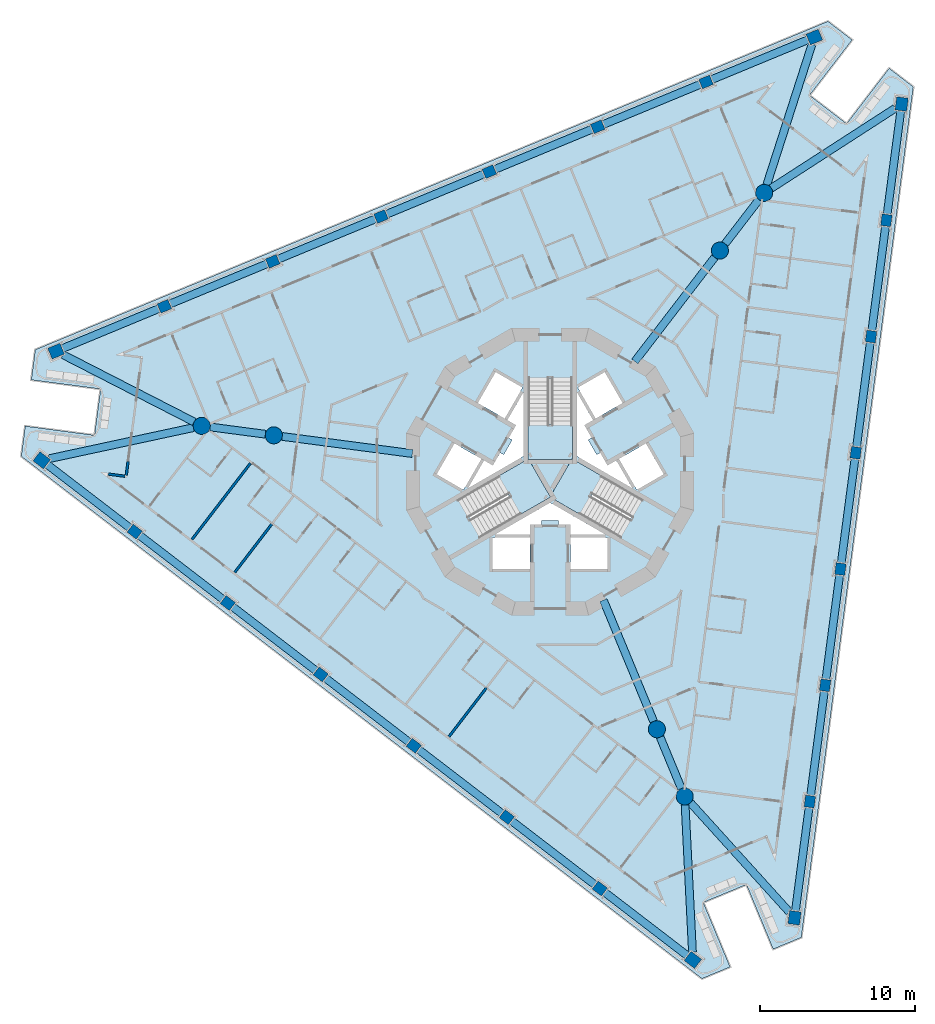
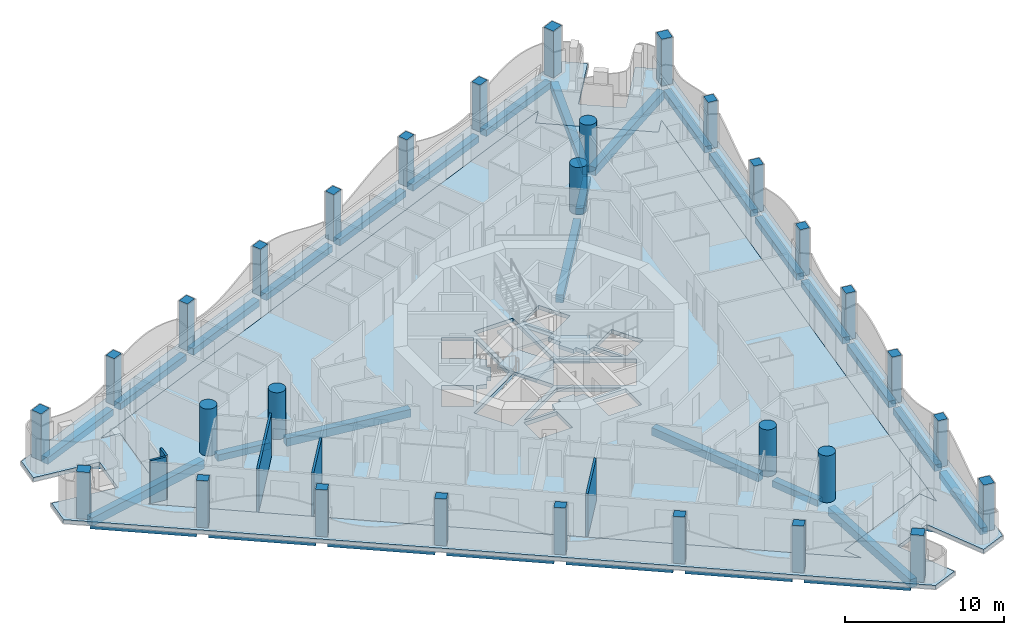
# One storey, part 1 of 17: 33 beams, 30 columns, 6 slabs, 5 walls, 3 elements without a shape of their own.
"""IFC4 building model written with IfcOpenShell, lengths in metres."""

from ifc_helpers import new_model, si_unit, direction, frame, frame_2d, origin, origin_2d, place, context, subcontext, project, spatial, polyline, rectangle, circle, outline, extrude, material, layer, layer_set, material_profile, profile_set, type_object, element, aggregate, save


model = new_model("IFC4")

# Units and contexts
model_context = context("Model", 3, precision=1e-05, world=origin(), true_north=direction((0.0, 1.0)))
body_context = subcontext(model_context, "Body", "Model", "MODEL_VIEW")
ifc_project = project(units=[si_unit("LENGTHUNIT", "METRE"), si_unit("AREAUNIT", "SQUARE_METRE"), si_unit("VOLUMEUNIT", "CUBIC_METRE"), si_unit("PLANEANGLEUNIT", "RADIAN"), si_unit("MASSUNIT", "GRAM", prefix="KILO")], contexts=[model_context])

# Site, building, storey
site_placement = place(None, origin())
site = spatial("IfcSite", under=ifc_project, at=site_placement, CompositionType="ELEMENT")
building_placement = place(site_placement, origin())
building = spatial("IfcBuilding", under=site, at=building_placement, Name="Trine Commons Tower", CompositionType="ELEMENT")
storey_placement = place(building_placement, frame((0.0, 0.0, 135.0)))
storey = spatial("IfcBuildingStorey", under=building, at=storey_placement, Name="L34", CompositionType="ELEMENT", Elevation=135.0)

# Columns
ifc_material_1 = material(Name="Concrete C70/85", Category="concrete")
ifc_material_profile_1 = material_profile(ifc_material_1, rectangle(XDim=0.75, YDim=0.64990234375, at=origin_2d()), Name="RC 750x650")
ifc_profile_set_1 = profile_set([ifc_material_profile_1], Name="Concrete C70/85")
column_type_1 = type_object("IfcColumnType", Name="RC column 750x650, C70/85", PredefinedType="COLUMN", material=ifc_profile_set_1)
for number, where, z_axis, x_axis, name in (
    (1, (83.197021484375, 35.652587890625, 0.0), (0.0, 0.0, 1.0), (-0.793353340291, 0.608761429009, 0.0), "Column PC4-02 L34"),
    (2, (77.20556640625, 40.25, 0.0), (0.0, 0.0, 1.0), (-0.793353340291, 0.608761429009, 0.0), "Column PC4-03 L34"),
    (3, (71.214111328125, 44.847412109375, 0.0), (0.0, 0.0, 1.0), (-0.793353340291, 0.608761429009, 0.0), "Column PC4-04 L34"),
    (4, (65.222900390625, 49.444580078125, 0.0), (0.0, 0.0, 1.0), (-0.793353340291, 0.608761429009, 0.0), "Column PC4-05 L34"),
    (5, (59.2314453125, 54.0419921875, 0.0), (0.0, 0.0, 1.0), (-0.793353340291, 0.608761429009, 0.0), "Column PC4-06 L34"),
    (6, (53.239990234375, 58.639404296875, 0.0), (0.0, 0.0, 1.0), (-0.793353340291, 0.608761429009, 0.0), "Column PC4-07 L34"),
    (7, (55.151123046875, 73.155029296875, 0.0), (0.0, 0.0, 1.0), (0.923879532511, 0.382683432365, 0.0), "Column PC4-10 L34"),
    (8, (62.128173828125, 76.044921875, 0.0), (0.0, 0.0, 1.0), (0.923879532511, 0.382683432365, 0.0), "Column PC4-11 L34"),
    (9, (69.105224609375, 78.93505859375, 0.0), (0.0, 0.0, 1.0), (0.923879532511, 0.382683432365, 0.0), "Column PC4-12 L34"),
    (10, (76.08251953125, 81.8251953125, 0.0), (0.0, 0.0, 1.0), (0.923879532511, 0.382683432365, 0.0), "Column PC4-13 L34"),
    (11, (83.0595703125, 84.715087890625, 0.0), (0.0, 0.0, 1.0), (0.923879532511, 0.382683432365, 0.0), "Column PC4-14 L34"),
    (12, (90.03662109375, 87.60498046875, 0.0), (0.0, 0.0, 1.0), (0.923879532511, 0.382683432365, 0.0), "Column PC4-15 L34"),
    (13, (101.652099609375, 78.692138671875, 0.0), (0.0, 0.0, 1.0), (0.13052619222, 0.991444861374, 0.0), "Column PC4-18 L34"),
    (14, (100.666259765625, 71.204833984375, 0.0), (0.0, 0.0, 1.0), (0.13052619222, 0.991444861374, 0.0), "Column PC4-19 L34"),
    (15, (99.680419921875, 63.717529296875, 0.0), (0.0, 0.0, 1.0), (0.13052619222, 0.991444861374, 0.0), "Column PC4-20 L34"),
    (16, (98.69482421875, 56.230224609375, 0.0), (0.0, 0.0, 1.0), (0.13052619222, 0.991444861374, 0.0), "Column PC4-21 L34"),
    (17, (97.708984375, 48.742919921875, 0.0), (0.0, 0.0, 1.0), (0.13052619222, 0.991444861374, 0.0), "Column PC4-22 L34"),
    (18, (96.723388671875, 41.255615234375, 0.0), (0.0, 0.0, 1.0), (0.13052619222, 0.991444861374, 0.0), "Column PC4-23 L34"),
):
    element("IfcColumn", number, at=place(storey_placement, frame(where, z_axis=z_axis, x_axis=x_axis)), inside=storey, type_object=column_type_1, Name=name, PredefinedType="COLUMN", context=body_context, shape_type="SweptSolid", body=[
        extrude(rectangle(XDim=0.75, YDim=0.64990234375, at=origin_2d()), origin(), (0.0, 0.0, 1.0), 3.60009765625),
    ])
ifc_material_profile_2 = material_profile(ifc_material_1, rectangle(XDim=0.85009765625, YDim=0.75, at=origin_2d()), Name="RC 850x750")
ifc_profile_set_2 = profile_set([ifc_material_profile_2], Name="Concrete C70/85")
column_type_2 = type_object("IfcColumnType", Name="RC column 850x750, C70/85", PredefinedType="COLUMN", material=ifc_profile_set_2)
for number, where, z_axis, x_axis, name in (
    (19, (89.188232421875, 31.055419921875, 0.0), (0.0, 0.0, 1.0), (-0.793353340291, 0.608761429009, 0.0), "Column PC4-01 L34"),
    (20, (47.248779296875, 63.23681640625, 0.0), (0.0, 0.0, 1.0), (-0.793353340291, 0.608761429009, 0.0), "Column PC4-08 L34"),
    (21, (48.174072265625, 70.264892578125, 0.0), (0.0, 0.0, 1.0), (0.923879532511, 0.382683432365, 0.0), "Column PC4-09 L34"),
    (22, (97.013671875, 90.4951171875, 0.0), (0.0, 0.0, 1.0), (0.923879532511, 0.382683432365, 0.0), "Column PC4-16 L34"),
    (23, (102.6376953125, 86.1796875, 0.0), (0.0, 0.0, 1.0), (0.13052619222, 0.991444861374, 0.0), "Column PC4-17 L34"),
    (24, (95.737548828125, 33.768310546875, 0.0), (0.0, 0.0, 1.0), (0.13052619222, 0.991444861374, 0.0), "Column PC4-24 L34"),
):
    element("IfcColumn", number, at=place(storey_placement, frame(where, z_axis=z_axis, x_axis=x_axis)), inside=storey, type_object=column_type_2, Name=name, PredefinedType="COLUMN", context=body_context, shape_type="SweptSolid", body=[
        extrude(rectangle(XDim=0.85009765625, YDim=0.75, at=origin_2d()), origin(), (0.0, 0.0, 1.0), 3.60009765625),
    ])
ifc_material_profile_3 = material_profile(ifc_material_1, circle(Radius=0.550048828125, at=origin_2d()), Name="RC round 1100")
ifc_profile_set_3 = profile_set([ifc_material_profile_3], Name="Concrete C70/85")
column_type_3 = type_object("IfcColumnType", Name="RC round column 1100 mm, C70/85", PredefinedType="COLUMN", material=ifc_profile_set_3)
for number, where, z_axis, x_axis, name in (
    (25, (86.87109375, 45.912109375, 0.0), (0.0, 0.0, 1.0), (1.0, 0.0, 0.0), "Column WC4-1 L34"),
    (26, (88.66259765625, 41.58642578125, 0.0), (0.0, 0.0, 1.0), (1.0, 0.0, 0.0), "Column WC4-2 L34"),
    (27, (90.93017578125, 76.744384765625, 0.0), (0.0, 0.0, 1.0), (1.0, 0.0, 0.0), "Column WC4-3 L34"),
    (28, (93.7802734375, 80.458984375, 0.0), (0.0, 0.0, 1.0), (1.0, 0.0, 0.0), "Column WC4-4 L34"),
    (29, (62.198974609375, 64.843505859375, 0.0), (0.0, 0.0, 1.0), (1.0, 0.0, 0.0), "Column WC4-5 L34"),
    (30, (57.556884765625, 65.45458984375, 0.0), (0.0, 0.0, 1.0), (1.0, 0.0, 0.0), "Column WC4-6 L34"),
):
    element("IfcColumn", number, at=place(storey_placement, frame(where, z_axis=z_axis, x_axis=x_axis)), inside=storey, type_object=column_type_3, Name=name, PredefinedType="COLUMN", context=body_context, shape_type="SweptSolid", body=[
        extrude(circle(Radius=0.550048828125, at=origin_2d()), origin(), (0.0, 0.0, 1.0), 3.60009765625),
    ])

# Beams
ifc_material_2 = material(Name="Concrete C50/60", Category="concrete")
ifc_material_profile_4 = material_profile(ifc_material_2, rectangle(XDim=0.5, YDim=0.5, at=origin_2d()), Name="RC 500x500")
ifc_profile_set_4 = profile_set([ifc_material_profile_4], Name="Concrete C50/60")
beam_type_1 = type_object("IfcBeamType", Name="RC beam 500x500, C50/60", PredefinedType="BEAM", material=ifc_profile_set_4)
beam_1_placement = place(storey_placement, frame((88.85107421875, 31.314208984375, -0.550048828125), z_axis=(-0.793369431695, 0.608740457709, 0.0), x_axis=(-0.608740457709, -0.793369431695, 0.0)))
element("IfcBeam", 31, at=beam_1_placement, inside=storey, type_object=beam_type_1, Name="Beam EB4-01 L34", PredefinedType="BEAM", context=body_context, shape_type="SweptSolid", body=[
    extrude(rectangle(XDim=0.5, YDim=0.5, at=origin_2d()), origin(), (0.0, 0.0, 1.0), 6.751708984375),
])
beam_2_placement = place(storey_placement, frame((82.8994140625, 35.881103515625, -0.550048828125), z_axis=(-0.793370600973, 0.60873893379, 0.0), x_axis=(-0.60873893379, -0.793370600973, 0.0)))
element("IfcBeam", 32, at=beam_2_placement, inside=storey, type_object=beam_type_1, Name="Beam EB4-02 L34", PredefinedType="BEAM", context=body_context, shape_type="SweptSolid", body=[
    extrude(rectangle(XDim=0.5, YDim=0.5, at=origin_2d()), origin(), (0.0, 0.0, 1.0), 6.802001953125),
])
beam_3_placement = place(storey_placement, frame((76.907958984375, 40.478515625, -0.550048828125), z_axis=(-0.793357299922, 0.608756268682, 0.0), x_axis=(-0.608756268682, -0.793357299922, 0.0)))
element("IfcBeam", 33, at=beam_3_placement, inside=storey, type_object=beam_type_1, Name="Beam EB4-03 L34", PredefinedType="BEAM", context=body_context, shape_type="SweptSolid", body=[
    extrude(rectangle(XDim=0.5, YDim=0.5, at=origin_2d()), origin(), (0.0, 0.0, 1.0), 6.8017578125),
])
beam_4_placement = place(storey_placement, frame((70.916748046875, 45.07568359375, -0.550048828125), z_axis=(-0.793370600973, 0.60873893379, 0.0), x_axis=(-0.60873893379, -0.793370600973, 0.0)))
element("IfcBeam", 34, at=beam_4_placement, inside=storey, type_object=beam_type_1, Name="Beam EB4-04 L34", PredefinedType="BEAM", context=body_context, shape_type="SweptSolid", body=[
    extrude(rectangle(XDim=0.5, YDim=0.5, at=origin_2d()), origin(), (0.0, 0.0, 1.0), 6.802001953125),
])
beam_5_placement = place(storey_placement, frame((64.92529296875, 49.673095703125, -0.550048828125), z_axis=(-0.793357299922, 0.608756268682, 0.0), x_axis=(-0.608756268682, -0.793357299922, 0.0)))
element("IfcBeam", 35, at=beam_5_placement, inside=storey, type_object=beam_type_1, Name="Beam EB4-05 L34", PredefinedType="BEAM", context=body_context, shape_type="SweptSolid", body=[
    extrude(rectangle(XDim=0.5, YDim=0.5, at=origin_2d()), origin(), (0.0, 0.0, 1.0), 6.8017578125),
])
beam_6_placement = place(storey_placement, frame((58.93408203125, 54.2705078125, -0.550048828125), z_axis=(-0.793370600973, 0.60873893379, 0.0), x_axis=(-0.60873893379, -0.793370600973, 0.0)))
element("IfcBeam", 36, at=beam_6_placement, inside=storey, type_object=beam_type_1, Name="Beam EB4-06 L34", PredefinedType="BEAM", context=body_context, shape_type="SweptSolid", body=[
    extrude(rectangle(XDim=0.5, YDim=0.5, at=origin_2d()), origin(), (0.0, 0.0, 1.0), 6.802001953125),
])
for number, where, z_axis, x_axis, name in (
    (37, (52.942626953125, 58.86767578125, -0.550048828125), (-0.793351968439, 0.608763216838, 0.0), (-0.608763216838, -0.793351968439, 0.0), "Beam EB4-07 L34"),
    (38, (48.566650390625, 70.427490234375, -0.550048828125), (0.923874044744, 0.382696680739, 0.0), (-0.382696680739, 0.923874044744, 0.0), "Beam EB4-08 L34"),
):
    element("IfcBeam", number, at=place(storey_placement, frame(where, z_axis=z_axis, x_axis=x_axis)), inside=storey, type_object=beam_type_1, Name=name, PredefinedType="BEAM", context=body_context, shape_type="SweptSolid", body=[
        extrude(rectangle(XDim=0.5, YDim=0.5, at=origin_2d()), origin(), (0.0, 0.0, 1.0), 6.751953125),
    ])
for number, where, z_axis, x_axis, name in (
    (39, (55.49755859375, 73.298583984375, -0.550048828125), (0.923877719045, 0.38268781043, 0.0), (-0.38268781043, 0.923877719045, 0.0), "Beam EB4-09 L34"),
    (40, (62.474609375, 76.1884765625, -0.550048828125), (0.923877719045, 0.38268781043, 0.0), (-0.38268781043, 0.923877719045, 0.0), "Beam EB4-10 L34"),
):
    element("IfcBeam", number, at=place(storey_placement, frame(where, z_axis=z_axis, x_axis=x_axis)), inside=storey, type_object=beam_type_1, Name=name, PredefinedType="BEAM", context=body_context, shape_type="SweptSolid", body=[
        extrude(rectangle(XDim=0.5, YDim=0.5, at=origin_2d()), origin(), (0.0, 0.0, 1.0), 6.802001953125),
    ])
for number, where, z_axis, x_axis, name in (
    (41, (69.451904296875, 79.07861328125, -0.550048828125), (0.923872462302, 0.382700500915, 0.0), (-0.382700500915, 0.923872462302, 0.0), "Beam EB4-11 L34"),
    (42, (76.428955078125, 81.968505859375, -0.550048828125), (0.923872462302, 0.382700500915, 0.0), (-0.382700500915, 0.923872462302, 0.0), "Beam EB4-12 L34"),
):
    element("IfcBeam", number, at=place(storey_placement, frame(where, z_axis=z_axis, x_axis=x_axis)), inside=storey, type_object=beam_type_1, Name=name, PredefinedType="BEAM", context=body_context, shape_type="SweptSolid", body=[
        extrude(rectangle(XDim=0.5, YDim=0.5, at=origin_2d()), origin(), (0.0, 0.0, 1.0), 6.8017578125),
    ])
beam_7_placement = place(storey_placement, frame((83.406005859375, 84.858642578125, -0.550048828125), z_axis=(0.923877719045, 0.38268781043, 0.0), x_axis=(-0.38268781043, 0.923877719045, 0.0)))
element("IfcBeam", 43, at=beam_7_placement, inside=storey, type_object=beam_type_1, Name="Beam EB4-13 L34", PredefinedType="BEAM", context=body_context, shape_type="SweptSolid", body=[
    extrude(rectangle(XDim=0.5, YDim=0.5, at=origin_2d()), origin(), (0.0, 0.0, 1.0), 6.802001953125),
])
beam_8_placement = place(storey_placement, frame((90.383056640625, 87.74853515625, -0.550048828125), z_axis=(0.923874044744, 0.382696680739, 0.0), x_axis=(-0.382696680739, 0.923874044744, 0.0)))
element("IfcBeam", 44, at=beam_8_placement, inside=storey, type_object=beam_type_1, Name="Beam EB4-14 L34", PredefinedType="BEAM", context=body_context, shape_type="SweptSolid", body=[
    extrude(rectangle(XDim=0.5, YDim=0.5, at=origin_2d()), origin(), (0.0, 0.0, 1.0), 6.751953125),
])
beam_9_placement = place(storey_placement, frame((102.582275390625, 85.75830078125, -0.550048828125), z_axis=(-0.130529338233, -0.991444447188, 0.0), x_axis=(0.991444447188, -0.130529338233, 0.0)))
element("IfcBeam", 45, at=beam_9_placement, inside=storey, type_object=beam_type_1, Name="Beam EB4-15 L34", PredefinedType="BEAM", context=body_context, shape_type="SweptSolid", body=[
    extrude(rectangle(XDim=0.5, YDim=0.5, at=origin_2d()), origin(), (0.0, 0.0, 1.0), 6.752197265625),
])
for number, where, z_axis, x_axis, name in (
    (46, (101.60302734375, 78.3203125, -0.550048828125), (-0.13054364647, -0.991442563322, 0.0), (0.991442563322, -0.13054364647, 0.0), "Beam EB4-16 L34"),
    (47, (100.6171875, 70.8330078125, -0.550048828125), (-0.13050836468, -0.991447208251, 0.0), (0.991447208251, -0.13050836468, 0.0), "Beam EB4-17 L34"),
    (48, (99.631591796875, 63.345703125, -0.550048828125), (-0.13054364647, -0.991442563322, 0.0), (0.991442563322, -0.13054364647, 0.0), "Beam EB4-18 L34"),
    (49, (98.64599609375, 55.8583984375, -0.550048828125), (-0.13054364647, -0.991442563322, 0.0), (0.991442563322, -0.13054364647, 0.0), "Beam EB4-19 L34"),
    (50, (97.66015625, 48.37109375, -0.550048828125), (-0.13054364647, -0.991442563322, 0.0), (0.991442563322, -0.13054364647, 0.0), "Beam EB4-20 L34"),
):
    element("IfcBeam", number, at=place(storey_placement, frame(where, z_axis=z_axis, x_axis=x_axis)), inside=storey, type_object=beam_type_1, Name=name, PredefinedType="BEAM", context=body_context, shape_type="SweptSolid", body=[
        extrude(rectangle(XDim=0.5, YDim=0.5, at=origin_2d()), origin(), (0.0, 0.0, 1.0), 6.8017578125),
    ])
beam_10_placement = place(storey_placement, frame((96.67431640625, 40.8837890625, -0.550048828125), z_axis=(-0.130498474521, -0.991448510084, 0.0), x_axis=(0.991448510084, -0.130498474521, 0.0)))
element("IfcBeam", 51, at=beam_10_placement, inside=storey, type_object=beam_type_1, Name="Beam EB4-21 L34", PredefinedType="BEAM", context=body_context, shape_type="SweptSolid", body=[
    extrude(rectangle(XDim=0.5, YDim=0.5, at=origin_2d()), origin(), (0.0, 0.0, 1.0), 6.751708984375),
])
beam_11_placement = place(storey_placement, frame((87.08154296875, 45.40380859375, -0.550048828125), z_axis=(0.382644753509, -0.92389555287, 0.0), x_axis=(0.92389555287, 0.382644753509, 0.0)))
element("IfcBeam", 52, at=beam_11_placement, inside=storey, type_object=beam_type_1, Name="Beam RB4-02 L34", PredefinedType="BEAM", context=body_context, shape_type="SweptSolid", body=[
    extrude(rectangle(XDim=0.5, YDim=0.5, at=origin_2d()), origin(), (0.0, 0.0, 1.0), 3.58203125),
])
beam_12_placement = place(storey_placement, frame((91.2646484375, 77.180419921875, -0.550048828125), z_axis=(0.608761938472, 0.793352949366, 0.0), x_axis=(-0.793352949366, 0.608761938472, 0.0)))
element("IfcBeam", 53, at=beam_12_placement, inside=storey, type_object=beam_type_1, Name="Beam RB4-04 L34", PredefinedType="BEAM", context=body_context, shape_type="SweptSolid", body=[
    extrude(rectangle(XDim=0.5, YDim=0.5, at=origin_2d()), origin(), (0.0, 0.0, 1.0), 3.5830078125),
])
beam_13_placement = place(storey_placement, frame((61.654296875, 64.915283203125, -0.550048828125), z_axis=(-0.991441999821, 0.13054792603, 0.0), x_axis=(-0.13054792603, -0.991441999821, 0.0)))
element("IfcBeam", 54, at=beam_13_placement, inside=storey, type_object=beam_type_1, Name="Beam RB4-06 L34", PredefinedType="BEAM", context=body_context, shape_type="SweptSolid", body=[
    extrude(rectangle(XDim=0.5, YDim=0.5, at=origin_2d()), origin(), (0.0, 0.0, 1.0), 3.583251953125),
])
ifc_material_profile_5 = material_profile(ifc_material_2, rectangle(XDim=0.5, YDim=0.60009765625, at=origin_2d()), Name="RC 500x600")
ifc_profile_set_5 = profile_set([ifc_material_profile_5], Name="Concrete C50/60")
beam_type_2 = type_object("IfcBeamType", Name="RC beam 500x600, C50/60", PredefinedType="BEAM", material=ifc_profile_set_5)
beam_14_placement = place(storey_placement, frame((83.426025390625, 54.228515625, -0.60009765625), z_axis=(0.382688551836, -0.92387741194, 0.0), x_axis=(0.92387741194, 0.382688551836, 0.0)))
element("IfcBeam", 55, at=beam_14_placement, inside=storey, type_object=beam_type_2, Name="Beam RB4-01 L34", PredefinedType="BEAM", context=body_context, shape_type="SweptSolid", body=[
    extrude(rectangle(XDim=0.5, YDim=0.60009765625, at=origin_2d()), origin(), (0.0, 0.0, 1.0), 8.45166015625),
])
for number, where, z_axis, x_axis, name in (
    (56, (85.4501953125, 69.602783203125, -0.60009765625), (0.608758331545, 0.793355717049, 0.0), (-0.793355717049, 0.608758331545, 0.0), "Beam RB4-03 L34"),
    (57, (71.123779296875, 63.668701171875, -0.60009765625), (-0.991444756637, 0.130526987771, 0.0), (-0.130526987771, -0.991444756637, 0.0), "Beam RB4-05 L34"),
):
    element("IfcBeam", number, at=place(storey_placement, frame(where, z_axis=z_axis, x_axis=x_axis)), inside=storey, type_object=beam_type_2, Name=name, PredefinedType="BEAM", context=body_context, shape_type="SweptSolid", body=[
        extrude(rectangle(XDim=0.5, YDim=0.60009765625, at=origin_2d()), origin(), (0.0, 0.0, 1.0), 8.452392578125),
    ])
ifc_material_profile_6 = material_profile(ifc_material_2, rectangle(XDim=0.5, YDim=0.64990234375, at=origin_2d()), Name="RC 500x650")
ifc_profile_set_6 = profile_set([ifc_material_profile_6], Name="Concrete C50/60")
beam_type_3 = type_object("IfcBeamType", Name="RC beam 500x650, C50/60", PredefinedType="BEAM", material=ifc_profile_set_6)
for number, where, z_axis, x_axis, name in (
    (58, (47.729736328125, 63.340087890625, -0.625), (0.977623092321, 0.210364182695, 0.0), (-0.210364182695, 0.977623092321, 0.0), "Beam CB4-01 L34"),
    (59, (48.61181640625, 70.04052734375, -0.625), (0.88987015168, -0.456213889692, 0.0), (0.456213889692, 0.88987015168, 0.0), "Beam CB4-02 L34"),
):
    element("IfcBeam", number, at=place(storey_placement, frame(where, z_axis=z_axis, x_axis=x_axis)), inside=storey, type_object=beam_type_3, Name=name, PredefinedType="BEAM", context=body_context, shape_type="SweptSolid", body=[
        extrude(rectangle(XDim=0.5, YDim=0.64990234375, at=origin_2d()), origin(), (0.0, 0.0, 1.0), 9.502685546875),
    ])
for number, where, z_axis, x_axis, name in (
    (60, (96.86279296875, 90.026611328125, -0.625), (-0.306661957359, -0.951818493153, 0.0), (0.951818493153, -0.306661957359, 0.0), "Beam CB4-03 L34"),
    (61, (102.224365234375, 85.91259765625, -0.625), (-0.840029620135, -0.542540539772, 0.0), (0.542540539772, -0.840029620135, 0.0), "Beam CB4-04 L34"),
):
    element("IfcBeam", number, at=place(storey_placement, frame(where, z_axis=z_axis, x_axis=x_axis)), inside=storey, type_object=beam_type_3, Name=name, PredefinedType="BEAM", context=body_context, shape_type="SweptSolid", body=[
        extrude(rectangle(XDim=0.5, YDim=0.64990234375, at=origin_2d()), origin(), (0.0, 0.0, 1.0), 9.50244140625),
    ])
beam_15_placement = place(storey_placement, frame((95.407470703125, 34.133056640625, -0.625), z_axis=(-0.670979247329, 0.74147612885, 0.0), x_axis=(-0.74147612885, -0.670979247329, 0.0)))
element("IfcBeam", 62, at=beam_15_placement, inside=storey, type_object=beam_type_3, Name="Beam CB4-05 L34", PredefinedType="BEAM", context=body_context, shape_type="SweptSolid", body=[
    extrude(rectangle(XDim=0.5, YDim=0.64990234375, at=origin_2d()), origin(), (0.0, 0.0, 1.0), 9.5029296875),
])
beam_16_placement = place(storey_placement, frame((89.163818359375, 31.546875, -0.625), z_axis=(-0.049841513837, 0.998757139398, 0.0), x_axis=(-0.998757139398, -0.049841513837, 0.0)))
element("IfcBeam", 63, at=beam_16_placement, inside=storey, type_object=beam_type_3, Name="Beam CB4-06 L34", PredefinedType="BEAM", context=body_context, shape_type="SweptSolid", body=[
    extrude(rectangle(XDim=0.5, YDim=0.64990234375, at=origin_2d()), origin(), (0.0, 0.0, 1.0), 9.502685546875),
])

# Slabs
ifc_layer_1 = layer(ifc_material_2, 0.300048828125)
ifc_layer_set_1 = layer_set([ifc_layer_1], Name="Concrete C50/60")
slab_type_1 = type_object("IfcSlabType", Name="Loggia slab 300 mm, C50/60", PredefinedType="FLOOR", material=ifc_layer_set_1)
slab_1_placement = place(storey_placement, frame((0.0, 0.0, -0.300048828125)))
element("IfcSlab", 64, at=slab_1_placement, inside=storey, type_object=slab_type_1, Name="Loggia slab L34", PredefinedType="FLOOR", context=body_context, shape_type="SweptSolid", body=[
    extrude(outline(polyline([(96.17578125, 32.500244140625), (103.38916015625, 87.291015625), (101.8310546875, 88.48681640625), (99.091552734375, 84.91650390625), (96.71142578125, 86.742919921875), (99.450927734375, 90.31298828125), (97.892578125, 91.508544921875), (46.835693359375, 70.360107421875), (46.579345703125, 68.412841796875), (51.041015625, 67.825439453125), (50.6494140625, 64.85107421875), (46.187744140625, 65.4384765625), (45.931396484375, 63.4912109375), (89.77490234375, 29.848876953125), (91.589599609375, 30.6005859375), (89.867431640625, 34.758056640625), (92.63916015625, 35.906005859375), (94.361328125, 31.74853515625), (96.17578125, 32.500244140625)]), holes=[polyline([(87.24658203125, 34.814208984375), (86.731689453125, 36.056884765625), (93.93798828125, 39.041748046875), (94.452880859375, 37.799072265625), (100.353271484375, 82.618408203125), (99.53466796875, 81.551513671875), (93.346435546875, 86.2998046875), (94.165283203125, 87.366943359375), (52.400146484375, 70.067138671875), (53.733642578125, 69.8916015625), (52.715576171875, 62.158447265625), (51.382080078125, 62.333984375), (87.24658203125, 34.814208984375)])]), origin(), (0.0, 0.0, 1.0), 0.300048828125),
])
ifc_layer_2 = layer(ifc_material_2, 0.300048828125)
ifc_layer_set_2 = layer_set([ifc_layer_2], Name="Concrete C50/60")
slab_type_2 = type_object("IfcSlabType", Name="PT flat slab 300 mm, C50/60", PredefinedType="FLOOR", material=ifc_layer_set_2)
slab_2_placement = place(storey_placement, frame((0.0, 0.0, -0.300048828125)))
element("IfcSlab", 65, at=slab_2_placement, inside=storey, type_object=slab_type_2, Name="Floor slab L34", PredefinedType="FLOOR", context=body_context, shape_type="SweptSolid", body=[
    extrude(outline(polyline([(51.382080078125, 62.333984375), (87.24658203125, 34.814208984375), (86.731689453125, 36.056884765625), (93.93798828125, 39.041748046875), (94.452880859375, 37.799072265625), (100.353271484375, 82.618408203125), (99.53466796875, 81.551513671875), (93.346435546875, 86.2998046875), (94.165283203125, 87.366943359375), (52.400146484375, 70.067138671875), (53.733642578125, 69.8916015625), (52.715576171875, 62.158447265625), (51.382080078125, 62.333984375)]), holes=[polyline([(78.699951171875, 56.25), (78.699951171875, 58.25), (76.300048828125, 58.25), (76.300048828125, 56.25), (78.699951171875, 56.25)]), polyline([(80.0, 60.8544921875), (84.4755859375, 58.2705078125), (85.900390625, 60.73876953125), (81.425048828125, 63.32275390625), (81.425048828125, 68.490478515625), (78.574951171875, 68.490478515625), (78.574951171875, 63.32275390625), (74.099609375, 60.73876953125), (75.5244140625, 58.2705078125), (80.0, 60.8544921875)]), polyline([(73.83740234375, 64.325927734375), (72.687255859375, 62.333984375), (74.41943359375, 61.333984375), (75.5693359375, 63.325927734375), (73.83740234375, 64.325927734375)]), polyline([(76.381103515625, 63.031005859375), (75.742919921875, 63.22607421875), (74.7099609375, 61.43798828125), (78.27490234375, 63.49609375), (78.27490234375, 67.612060546875), (77.242919921875, 65.823974609375), (77.73095703125, 65.368896484375), (77.3310546875, 64.676025390625), (77.555908203125, 64.5458984375), (77.006103515625, 63.593994140625), (76.781005859375, 63.722900390625), (76.381103515625, 63.031005859375)]), polyline([(76.4873046875, 68.916015625), (75.33740234375, 66.924072265625), (77.0693359375, 65.924072265625), (78.219482421875, 67.916015625), (76.4873046875, 68.916015625)]), polyline([(83.699951171875, 56.25), (83.699951171875, 58.25), (81.300048828125, 58.25), (81.300048828125, 56.25), (83.699951171875, 56.25)]), polyline([(81.14990234375, 59.10009765625), (81.300048828125, 58.449951171875), (83.56494140625, 58.449951171875), (80.0, 60.508056640625), (76.43505859375, 58.449951171875), (78.699951171875, 58.449951171875), (78.85009765625, 59.10009765625), (79.449951171875, 59.10009765625), (79.449951171875, 59.360107421875), (80.550048828125, 59.360107421875), (80.550048828125, 59.10009765625), (81.14990234375, 59.10009765625)]), polyline([(86.16259765625, 64.325927734375), (84.4306640625, 63.325927734375), (85.58056640625, 61.333984375), (87.312744140625, 62.333984375), (86.16259765625, 64.325927734375)]), polyline([(83.243896484375, 63.738037109375), (82.993896484375, 63.593994140625), (82.444091796875, 64.5458984375), (82.72705078125, 64.7099609375), (82.281005859375, 65.549072265625), (82.757080078125, 65.823974609375), (81.72509765625, 67.612060546875), (81.72509765625, 63.49609375), (85.2900390625, 61.43798828125), (84.257080078125, 63.22607421875), (83.618896484375, 63.031005859375), (83.243896484375, 63.738037109375)]), polyline([(84.66259765625, 66.924072265625), (83.5126953125, 68.916015625), (81.780517578125, 67.916015625), (82.9306640625, 65.924072265625), (84.66259765625, 66.924072265625)])]), origin(), (0.0, 0.0, 1.0), 0.300048828125),
])
slab_3_placement = place(storey_placement, frame((0.0, 0.0, -0.300048828125)))
element("IfcSlab", 66, at=slab_3_placement, inside=storey, type_object=slab_type_2, Name="Floor slab L34 2", PredefinedType="FLOOR", context=body_context, shape_type="SweptSolid", body=[
    extrude(outline(polyline([(78.61328125, 63.300537109375), (80.0, 60.89892578125), (81.38671875, 63.300537109375), (78.61328125, 63.300537109375)])), origin(), (0.0, 0.0, 1.0), 0.300048828125),
])

# Stair, slab
stair_type = type_object("IfcStairType", Name="Exit stair, dog-leg, 24 risers of 150 mm", PredefinedType="HALF_TURN_STAIR", material=ifc_material_2)
stair_1_placement = place(storey_placement, origin())
stair_1 = element("IfcStair", 67, at=stair_1_placement, inside=storey, type_object=stair_type, Name="L34 Exit stair ST1B", PredefinedType="HALF_TURN_STAIR")
ifc_layer_3 = layer(ifc_material_2, 0.199951171875)
ifc_layer_set_3 = layer_set([ifc_layer_3], Name="Concrete C50/60")
slab_type_3 = type_object("IfcSlabType", Name="Stair landing slab 200 mm, C50/60", PredefinedType="LANDING", material=ifc_layer_set_3)
slab_4_placement = place(storey_placement, frame((0.0, 0.0, 1.60009765625)))
slab_4 = element("IfcSlab", 68, at=slab_4_placement, type_object=slab_type_3, Name="ST1B landing 1", PredefinedType="LANDING", context=body_context, shape_type="SweptSolid", body=[
    extrude(outline(polyline([(78.574951171875, 65.570556640625), (78.574951171875, 63.300537109375), (81.425048828125, 63.300537109375), (81.425048828125, 65.570556640625), (78.574951171875, 65.570556640625)])), origin(), (0.0, 0.0, 1.0), 0.199951171875),
])
aggregate(stair_1, [slab_4])

stair_2_placement = place(storey_placement, origin())
stair_2 = element("IfcStair", 69, at=stair_2_placement, inside=storey, type_object=stair_type, Name="L34 Exit stair ST2B", PredefinedType="HALF_TURN_STAIR")
slab_5_placement = place(storey_placement, frame((0.0, 0.0, 1.60009765625)))
slab_5 = element("IfcSlab", 70, at=slab_5_placement, type_object=slab_type_3, Name="ST2B landing 1", PredefinedType="LANDING", context=body_context, shape_type="SweptSolid", body=[
    extrude(outline(polyline([(78.05322265625, 59.730712890625), (80.019287109375, 60.86572265625), (78.59423828125, 63.333740234375), (76.628173828125, 62.19873046875), (78.05322265625, 59.730712890625)])), origin(), (0.0, 0.0, 1.0), 0.199951171875),
])
aggregate(stair_2, [slab_5])

stair_3_placement = place(storey_placement, origin())
stair_3 = element("IfcStair", 71, at=stair_3_placement, inside=storey, type_object=stair_type, Name="L34 Exit stair ST3B", PredefinedType="HALF_TURN_STAIR")
slab_6_placement = place(storey_placement, frame((0.0, 0.0, 1.60009765625)))
slab_6 = element("IfcSlab", 72, at=slab_6_placement, type_object=slab_type_3, Name="ST3B landing 1", PredefinedType="LANDING", context=body_context, shape_type="SweptSolid", body=[
    extrude(outline(polyline([(83.371826171875, 62.19873046875), (81.40576171875, 63.333740234375), (79.980712890625, 60.86572265625), (81.94677734375, 59.730712890625), (83.371826171875, 62.19873046875)])), origin(), (0.0, 0.0, 1.0), 0.199951171875),
])
aggregate(stair_3, [slab_6])

# Walls
ifc_material_3 = material(Name="Aluminium-framed insulated wall panel", Category="aluminium")
ifc_layer_4 = layer(ifc_material_3, 0.14990234375)
ifc_layer_set_4 = layer_set([ifc_layer_4], Name="Aluminium-framed insulated wall panel")
wall_type_1 = type_object("IfcWallType", Name="Glazed frame wall 150, EI 60", PredefinedType="SOLIDWALL", material=ifc_layer_set_4)
wall_1_placement = place(storey_placement, frame((51.38671875, 62.36865234375, 0.0), z_axis=(0.0, 0.0, 1.0), x_axis=(0.991446880033, -0.130510858064, 0.0)))
element("IfcWall", 73, at=wall_1_placement, inside=storey, type_object=wall_type_1, Name="Glazed frame wall R1", PredefinedType="SOLIDWALL", context=body_context, shape_type="SweptSolid", body=[
    extrude(outline(polyline([(0.1494140625, 0.074951171875), (0.1494140625, -0.074951171875), (1.235107421875, -0.074951171875), (1.235107421875, 0.074951171875), (0.1494140625, 0.074951171875)])), origin(), (0.0, 0.0, 1.0), 3.300048828125),
])
wall_2_placement = place(storey_placement, frame((52.680908203125, 62.1630859375, 0.0), z_axis=(0.0, 0.0, 1.0), x_axis=(0.130403976344, 0.991460943736, 0.0)))
element("IfcWall", 74, at=wall_2_placement, inside=storey, type_object=wall_type_1, Name="Glazed frame wall P1.1", PredefinedType="SOLIDWALL", context=body_context, shape_type="SweptSolid", body=[
    extrude(outline(polyline([(0.110107421875, -0.074951171875), (1.0, -0.074951171875), (1.0, 0.074951171875), (0.110107421875, 0.074951171875), (0.110107421875, -0.074951171875)])), origin(), (0.0, 0.0, 1.0), 3.300048828125),
])
ifc_material_4 = material(Name="Gypsum plasterboard on steel stud", Category="steel")
ifc_layer_5 = layer(ifc_material_4, 0.14990234375)
ifc_layer_set_5 = layer_set([ifc_layer_5], Name="Gypsum plasterboard on steel stud")
wall_type_2 = type_object("IfcWallType", Name="Unit and corridor wall 150 mm, EI 60", PredefinedType="PARTITIONING", material=ifc_layer_set_5)
wall_3_placement = place(storey_placement, frame((56.92431640625, 58.131591796875, 0.0), z_axis=(0.0, 0.0, 1.0), x_axis=(0.608635904236, 0.793449643062, 0.0)))
element("IfcWall", 75, at=wall_3_placement, inside=storey, type_object=wall_type_2, Name="Partition 004", PredefinedType="PARTITIONING", context=body_context, shape_type="SweptSolid", body=[
    extrude(rectangle(XDim=6.194091796875, YDim=0.14990234375, at=frame_2d((3.09716796875, 0.0))), origin(), (0.0, 0.0, 1.0), 3.300048828125),
])
wall_4_placement = place(storey_placement, frame((59.682373046875, 56.0146484375, 0.0), z_axis=(0.0, 0.0, 1.0), x_axis=(0.608783231907, 0.793336609863, 0.0)))
element("IfcWall", 76, at=wall_4_placement, inside=storey, type_object=wall_type_2, Name="Partition 012", PredefinedType="PARTITIONING", context=body_context, shape_type="SweptSolid", body=[
    extrude(rectangle(XDim=3.919677734375, YDim=0.14990234375, at=frame_2d((1.9599609375, 0.0))), origin(), (0.0, 0.0, 1.0), 3.300048828125),
])
wall_5_placement = place(storey_placement, frame((73.476318359375, 45.4306640625, 0.0), z_axis=(0.0, 0.0, 1.0), x_axis=(0.60889890565, 0.793247831827, 0.0)))
element("IfcWall", 77, at=wall_5_placement, inside=storey, type_object=wall_type_2, Name="Partition 053", PredefinedType="PARTITIONING", context=body_context, shape_type="SweptSolid", body=[
    extrude(rectangle(XDim=3.968994140625, YDim=0.14990234375, at=frame_2d((1.984375, 0.0))), origin(), (0.0, 0.0, 1.0), 3.300048828125),
])

save(model, "model.ifc")
